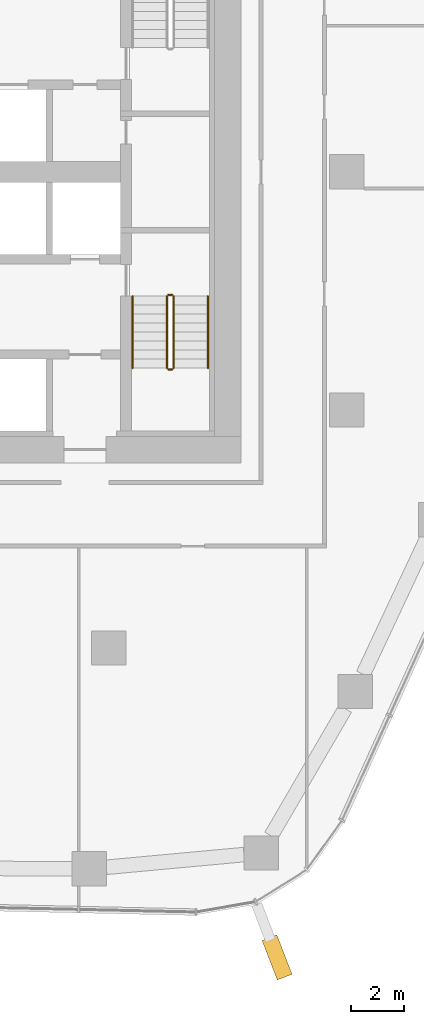
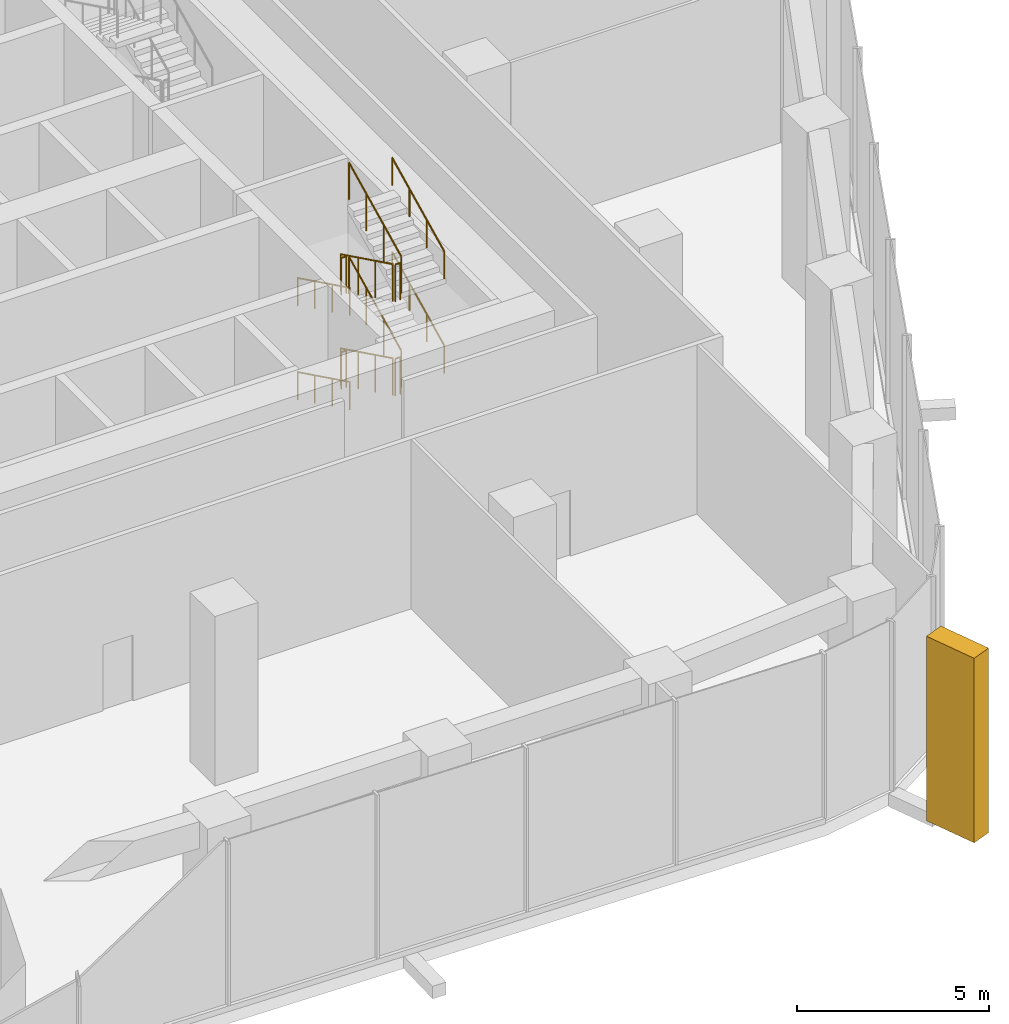
# One storey, part 16 of 18: 12 railings, 1 covering, 1 element without a shape of its own.
"""IFC4 building model written with IfcOpenShell, lengths in metres."""

import ifcopenshell
import ifcopenshell.guid

model = None  # the IFC model being written
_history = None  # IfcOwnerHistory: only IFC2X3 demands one
_inside = {}  # id of a spatial element -> (the spatial element, [elements in it])
_under = {}  # id of a project, library or spatial element -> (it, [spatial elements below it])
_declared = {}  # id of a project -> (the project, [libraries it declares])
_typed = {}  # id of a type object -> (the type object, [elements of that type])
_made_of = {}  # id of a material, layer set ... -> (it, [elements and type objects made of it])


def new_model(schema):
    """Start an empty IFC model of exactly this schema.

    Asked for "IFC4X3", IfcOpenShell would pick the latest addendum, in which some entities
    have other attributes; the version numbers below select the first issue.
    IFC2X3 requires an IfcOwnerHistory on every rooted entity: one is made here for all.
    """
    global model, _history
    if schema == "IFC4X3":
        model = ifcopenshell.file(schema_version=(4, 3, 0, 0))
    else:
        model = ifcopenshell.file(schema=schema)
    _inside.clear()
    _under.clear()
    _declared.clear()
    _typed.clear()
    _made_of.clear()
    _history = None
    if model.schema == "IFC2X3":
        org = make("IfcOrganization", Name="unknown")
        user = make(
            "IfcPersonAndOrganization",
            ThePerson=make("IfcPerson", FamilyName="unknown"),
            TheOrganization=org,
        )
        app = make(
            "IfcApplication",
            ApplicationDeveloper=org,
            Version="unknown",
            ApplicationFullName="unknown",
            ApplicationIdentifier="unknown",
        )
        _history = make(
            "IfcOwnerHistory",
            OwningUser=user,
            OwningApplication=app,
            ChangeAction="ADDED",
            CreationDate=0,
        )
    return model


def make(cls, **values):
    """One entity of the class cls with the attributes given. An attribute that is None is left unset."""
    return model.create_entity(
        cls, **{name: value for name, value in values.items() if value is not None}
    )


def rooted(cls, **values):
    """An entity with a GlobalId (a new one), such as an element, a storey or a relation."""
    return make(cls, GlobalId=ifcopenshell.guid.new(), OwnerHistory=_history, **values)


def si_unit(unit_type, name, prefix=None):
    """IfcSIUnit, for example si_unit("LENGTHUNIT", "METRE", prefix="MILLI")."""
    return make("IfcSIUnit", UnitType=unit_type, Prefix=prefix, Name=name)


def assignment(units):
    """IfcUnitAssignment: the units of a project."""
    return None if units is None else make("IfcUnitAssignment", Units=units)


def point(xyz):
    """IfcCartesianPoint."""
    return None if xyz is None else make("IfcCartesianPoint", Coordinates=xyz)


def direction(xyz):
    """IfcDirection."""
    return None if xyz is None else make("IfcDirection", DirectionRatios=xyz)


def frame(location, z_axis=None, x_axis=None):
    """IfcAxis2Placement3D, a coordinate frame: its origin and axes. An axis left out is left unset."""
    return make(
        "IfcAxis2Placement3D",
        Location=point(location),
        Axis=direction(z_axis),
        RefDirection=direction(x_axis),
    )


def frame_2d(location, x_axis=None):
    """IfcAxis2Placement2D, a coordinate frame in the plane: its origin and x axis."""
    return make(
        "IfcAxis2Placement2D", Location=point(location), RefDirection=direction(x_axis)
    )


def origin():
    """The frame at (0, 0, 0) with its axes left unset."""
    return frame((0.0, 0.0, 0.0))


def origin_2d():
    """The frame at (0, 0) in the plane with its x axis left unset."""
    return frame_2d((0.0, 0.0))


def place(relative_to, where):
    """IfcLocalPlacement: puts the frame where relative to a parent placement (None: the world)."""
    return make(
        "IfcLocalPlacement", PlacementRelTo=relative_to, RelativePlacement=where
    )


def context(
    kind, dimensions, precision=None, world=None, true_north=None, identifier=None
):
    """IfcGeometricRepresentationContext, for example the 3D "Model" context."""
    return make(
        "IfcGeometricRepresentationContext",
        ContextIdentifier=identifier,
        ContextType=kind,
        CoordinateSpaceDimension=dimensions,
        Precision=precision,
        WorldCoordinateSystem=world,
        TrueNorth=true_north,
    )


def subcontext(parent, identifier, kind, view, scale=None):
    """IfcGeometricRepresentationSubContext, for example "Body" below "Model"."""
    return make(
        "IfcGeometricRepresentationSubContext",
        ContextIdentifier=identifier,
        ContextType=kind,
        ParentContext=parent,
        TargetScale=scale,
        TargetView=view,
    )


def project(units=None, contexts=None):
    """IfcProject with its units and contexts."""
    return rooted(
        "IfcProject",
        Name="project",
        RepresentationContexts=contexts,
        UnitsInContext=assignment(units),
    )


def spatial(cls, under=None, at=None, **own):
    """A site, building, storey or space (cls), placed at a placement, below another one or the project."""
    s = rooted(cls, ObjectPlacement=at, **own)
    if under is not None:
        _under.setdefault(under.id(), (under, []))[1].append(s)
    return s


def profile(cls, at=None, kind="AREA", **sizes):
    """A parametric profile (cls). Its sizes go by their IFC names, for example OverallWidth=200.0."""
    return make(cls, ProfileType=kind, Position=at, **sizes)


def rectangle(**sizes):
    """IfcRectangleProfileDef."""
    return profile("IfcRectangleProfileDef", **sizes)


def circle(**sizes):
    """IfcCircleProfileDef."""
    return profile("IfcCircleProfileDef", **sizes)


def extrude(swept, where, along, depth):
    """IfcExtrudedAreaSolid: the profile swept, set in the frame where, extruded along a direction by depth."""
    return make(
        "IfcExtrudedAreaSolid",
        SweptArea=swept,
        Position=where,
        ExtrudedDirection=direction(along),
        Depth=depth,
    )


def shape(context_of_items, identifier, shape_type, items):
    """IfcShapeRepresentation: the items that make up one representation, for example the "Body"."""
    return make(
        "IfcShapeRepresentation",
        ContextOfItems=context_of_items,
        RepresentationIdentifier=identifier,
        RepresentationType=shape_type,
        Items=items,
    )


def material(Name=None, Category=None):
    """IfcMaterial."""
    return make("IfcMaterial", Name=Name, Category=Category)


def layer(
    of_material, thickness, ventilated=None, Name=None, Category=None, Priority=None
):
    """IfcMaterialLayer: one layer of a wall or slab, of a material (None: an air gap)."""
    return make(
        "IfcMaterialLayer",
        Material=of_material,
        LayerThickness=thickness,
        IsVentilated=ventilated,
        Name=Name,
        Category=Category,
        Priority=Priority,
    )


def layer_set(layers, Name=None):
    """IfcMaterialLayerSet."""
    return make("IfcMaterialLayerSet", MaterialLayers=layers, LayerSetName=Name)


def material_profile(
    of_material, cross_section, Name=None, Category=None, Priority=None
):
    """IfcMaterialProfile: a cross section and its material."""
    return make(
        "IfcMaterialProfile",
        Name=Name,
        Material=of_material,
        Profile=cross_section,
        Priority=Priority,
        Category=Category,
    )


def profile_set(profiles, Name=None, composite=None):
    """IfcMaterialProfileSet."""
    return make(
        "IfcMaterialProfileSet",
        Name=Name,
        MaterialProfiles=profiles,
        CompositeProfile=composite,
    )


def made_of(thing, what):
    """Note that an element or type object is made of a material, layer set ...; save() writes the relation."""
    if what is not None:
        _made_of.setdefault(what.id(), (what, []))[1].append(thing)
    return thing


def type_object(cls, material=None, **own):
    """A type object (cls), such as IfcWallType, which elements share."""
    return made_of(rooted(cls, **own), material)


def element(
    cls,
    number,
    at=None,
    inside=None,
    cuts=None,
    type_object=None,
    material=None,
    context=None,
    identifier="Body",
    shape_type=None,
    held_by="IfcProductDefinitionShape",
    body=None,
    shapes=None,
    **own,
):
    """One element of the class cls, such as IfcWall. Its Tag is "e" and its number.

    at: its placement. inside: the storey or other place that contains it. cuts: it is an
    opening in that element (IfcRelVoidsElement). A single representation is given by context,
    identifier, shape_type and body (its items); several are given by shapes. held_by: the class
    of the entity that holds the representations. save() writes the other relations.
    """
    e = rooted(cls, Tag="e%d" % number, ObjectPlacement=at, **own)
    if body is not None:
        shapes = [shape(context, identifier, shape_type, body)]
    if shapes is not None:
        e.Representation = make(held_by, Representations=shapes)
    if inside is not None:
        _inside.setdefault(inside.id(), (inside, []))[1].append(e)
    if cuts is not None:
        rooted(
            "IfcRelVoidsElement", RelatingBuildingElement=cuts, RelatedOpeningElement=e
        )
    if type_object is not None:
        _typed.setdefault(type_object.id(), (type_object, []))[1].append(e)
    return made_of(e, material)


def aggregate(whole, parts):
    """IfcRelAggregates: a whole, such as a stair, and the parts it consists of."""
    return rooted("IfcRelAggregates", RelatingObject=whole, RelatedObjects=parts)


def save(model, path):
    """Write the relations noted so far, then the file.

    IfcRelAggregates (storeys below a building ...), IfcRelContainedInSpatialStructure (elements
    in a storey), IfcRelDefinesByType, IfcRelAssociatesMaterial and IfcRelDeclares: one each for
    every whole, place, type object, material and project.
    """
    for whole, parts in _under.values():
        aggregate(whole, parts)
    for where, things in _inside.values():
        rooted(
            "IfcRelContainedInSpatialStructure",
            RelatedElements=things,
            RelatingStructure=where,
        )
    for kind, things in _typed.values():
        rooted("IfcRelDefinesByType", RelatedObjects=things, RelatingType=kind)
    for what, things in _made_of.values():
        rooted("IfcRelAssociatesMaterial", RelatedObjects=things, RelatingMaterial=what)
    for by, libraries in _declared.values():
        rooted("IfcRelDeclares", RelatingContext=by, RelatedDefinitions=libraries)
    model.write(path)


model = new_model("IFC4")

# Units and contexts
model_context = context("Model", 3, precision=1e-05, world=origin(), true_north=direction((0.0, 1.0)))
body_context = subcontext(model_context, "Body", "Model", "MODEL_VIEW")
ifc_project = project(units=[si_unit("LENGTHUNIT", "METRE"), si_unit("AREAUNIT", "SQUARE_METRE"), si_unit("VOLUMEUNIT", "CUBIC_METRE"), si_unit("PLANEANGLEUNIT", "RADIAN"), si_unit("MASSUNIT", "GRAM", prefix="KILO")], contexts=[model_context])

# Site, building, storey
site_placement = place(None, origin())
site = spatial("IfcSite", under=ifc_project, at=site_placement, CompositionType="ELEMENT")
building_placement = place(site_placement, origin())
building = spatial("IfcBuilding", under=site, at=building_placement, Name="Dongbaek Canopy Tower", CompositionType="ELEMENT")
storey_placement = place(building_placement, frame((0.0, 0.0, 139.60009765625)))
storey = spatial("IfcBuildingStorey", under=building, at=storey_placement, Name="L31", CompositionType="ELEMENT", Elevation=139.60009765625)

# Curtain wall, covering
ifc_material_1 = material(Name="Aluminium 6063-T6 pale anodised", Category="aluminium")
ifc_layer = layer(ifc_material_1, 0.25)
ifc_layer_set = layer_set([ifc_layer], Name="CW-4 sky-lobby curtain wall")
curtain_wall_type = type_object("IfcCurtainWallType", Name="CW-4 sky-lobby curtain wall", PredefinedType="NOTDEFINED", material=ifc_layer_set)
curtain_wall_placement = place(storey_placement, origin())
curtain_wall = element("IfcCurtainWall", 1, at=curtain_wall_placement, inside=storey, type_object=curtain_wall_type, Name="CW-4 curtain wall K5.1", PredefinedType="NOTDEFINED")
ifc_material_2 = material(Name="Aluminium 6063-T6 pale metal fin", Category="aluminium")
ifc_material_profile = material_profile(ifc_material_2, rectangle(XDim=1.60009765625, YDim=0.60009765625, at=origin_2d()), Name="Corner fin CN1 600 x 1600 pale metal")
ifc_profile_set = profile_set([ifc_material_profile], Name="Aluminium 6063-T6 pale metal fin")
covering_type = type_object("IfcCoveringType", Name="Corner fin CN1 600 x 1600 pale metal", PredefinedType="CLADDING", material=ifc_profile_set)
covering_placement = place(storey_placement, frame((15.3623046875, -29.6962890625, -0.2001953125), z_axis=(0.0, 0.0, 1.0), x_axis=(0.358809478259, -0.933410819688, 0.0)))
covering = element("IfcCovering", 2, at=covering_placement, type_object=covering_type, Name="Corner fin L31 L31 K5", PredefinedType="CLADDING", context=body_context, shape_type="SweptSolid", body=[
    extrude(rectangle(XDim=1.60009765625, YDim=0.60009765625, at=origin_2d()), origin(), (0.0, 0.0, 1.0), 5.880126953125),
])
aggregate(curtain_wall, [covering])

# Railings
ifc_material_3 = material(Name="Stainless steel tube and balusters", Category="steel")
railing_type_1 = type_object("IfcRailingType", Name="Stair guard 1200", PredefinedType="GUARDRAIL", material=ifc_material_3)
railing_1_placement = place(storey_placement, frame((11.199951171875, -4.699951171875, 0.16650390625)))
element("IfcRailing", 3, at=railing_1_placement, inside=storey, type_object=railing_type_1, Name="L31 ST-B stair guard 1", PredefinedType="GUARDRAIL", context=body_context, shape_type="SweptSolid", body=[
    extrude(circle(Radius=0.02392578125, at=origin_2d()), frame((0.0, 0.0, 1.17578125), z_axis=(0.0, -0.89789761255, 0.440204358653), x_axis=(1.0, 0.0, 0.0)), (0.0, 0.0, 1.0), 3.029296875),
    extrude(circle(Radius=0.02099609375, at=origin_2d()), origin(), (0.0, 0.0, 1.0), 1.15185546875),
    extrude(circle(Radius=0.02099609375, at=origin_2d()), frame((0.0, -0.90673828125, 0.444580078125)), (0.0, 0.0, 1.0), 1.15185546875),
    extrude(circle(Radius=0.02099609375, at=origin_2d()), frame((0.0, -1.813232421875, 0.888916015625)), (0.0, 0.0, 1.0), 1.15185546875),
    extrude(circle(Radius=0.02099609375, at=origin_2d()), frame((0.0, -2.719970703125, 1.33349609375)), (0.0, 0.0, 1.0), 1.15185546875),
])
railing_2_placement = place(storey_placement, frame((11.25, -7.469970703125, 1.5)))
element("IfcRailing", 4, at=railing_2_placement, inside=storey, type_object=railing_type_1, Name="L31 ST-B stair guard 2", PredefinedType="GUARDRAIL", context=body_context, shape_type="SweptSolid", body=[
    extrude(circle(Radius=0.02392578125, at=origin_2d()), frame((0.0, 0.0, 1.17578125), z_axis=(1.0, 0.0, 0.0), x_axis=(0.0, 1.0, 0.0)), (0.0, 0.0, 1.0), 0.14990234375),
    extrude(circle(Radius=0.02099609375, at=origin_2d()), origin(), (0.0, 0.0, 1.0), 1.15185546875),
    extrude(circle(Radius=0.02099609375, at=origin_2d()), frame((0.14990234375, 0.0, 0.0)), (0.0, 0.0, 1.0), 1.15185546875),
])
railing_3_placement = place(storey_placement, frame((11.449951171875, -7.419921875, 1.66650390625)))
element("IfcRailing", 5, at=railing_3_placement, inside=storey, type_object=railing_type_1, Name="L31 ST-B stair guard 3", PredefinedType="GUARDRAIL", context=body_context, shape_type="SweptSolid", body=[
    extrude(circle(Radius=0.02392578125, at=origin_2d()), frame((0.0, 0.0, 1.17578125), z_axis=(0.0, 0.89789761255, 0.440204358653), x_axis=(-1.0, 0.0, 0.0)), (0.0, 0.0, 1.0), 3.029296875),
    extrude(circle(Radius=0.02099609375, at=origin_2d()), origin(), (0.0, 0.0, 1.0), 1.15185546875),
    extrude(circle(Radius=0.02099609375, at=origin_2d()), frame((0.0, 0.90673828125, 0.444580078125)), (0.0, 0.0, 1.0), 1.15185546875),
    extrude(circle(Radius=0.02099609375, at=origin_2d()), frame((0.0, 1.813232421875, 0.888916015625)), (0.0, 0.0, 1.0), 1.15185546875),
    extrude(circle(Radius=0.02099609375, at=origin_2d()), frame((0.0, 2.719970703125, 1.33349609375)), (0.0, 0.0, 1.0), 1.15185546875),
])
railing_4_placement = place(storey_placement, frame((11.25, -4.64990234375, 3.0)))
element("IfcRailing", 6, at=railing_4_placement, inside=storey, type_object=railing_type_1, Name="L31 ST-B stair guard 4", PredefinedType="GUARDRAIL", context=body_context, shape_type="SweptSolid", body=[
    extrude(circle(Radius=0.02392578125, at=origin_2d()), frame((0.0, 0.0, 1.17578125), z_axis=(1.0, 0.0, 0.0), x_axis=(0.0, 1.0, 0.0)), (0.0, 0.0, 1.0), 0.14990234375),
    extrude(circle(Radius=0.02099609375, at=origin_2d()), origin(), (0.0, 0.0, 1.0), 1.15185546875),
    extrude(circle(Radius=0.02099609375, at=origin_2d()), frame((0.14990234375, 0.0, 0.0)), (0.0, 0.0, 1.0), 1.15185546875),
])
railing_5_placement = place(storey_placement, frame((11.199951171875, -4.699951171875, 3.16650390625)))
element("IfcRailing", 7, at=railing_5_placement, inside=storey, type_object=railing_type_1, Name="L31 ST-B stair guard 5", PredefinedType="GUARDRAIL", context=body_context, shape_type="SweptSolid", body=[
    extrude(circle(Radius=0.02392578125, at=origin_2d()), frame((0.0, 0.0, 1.17578125), z_axis=(0.0, -0.89789761255, 0.440204358653), x_axis=(1.0, 0.0, 0.0)), (0.0, 0.0, 1.0), 3.029296875),
    extrude(circle(Radius=0.02099609375, at=origin_2d()), origin(), (0.0, 0.0, 1.0), 1.15185546875),
    extrude(circle(Radius=0.02099609375, at=origin_2d()), frame((0.0, -0.90673828125, 0.444580078125)), (0.0, 0.0, 1.0), 1.15185546875),
    extrude(circle(Radius=0.02099609375, at=origin_2d()), frame((0.0, -1.813232421875, 0.888916015625)), (0.0, 0.0, 1.0), 1.15185546875),
    extrude(circle(Radius=0.02099609375, at=origin_2d()), frame((0.0, -2.719970703125, 1.33349609375)), (0.0, 0.0, 1.0), 1.15185546875),
])
railing_6_placement = place(storey_placement, frame((11.25, -7.469970703125, 4.5)))
element("IfcRailing", 8, at=railing_6_placement, inside=storey, type_object=railing_type_1, Name="L31 ST-B stair guard 6", PredefinedType="GUARDRAIL", context=body_context, shape_type="SweptSolid", body=[
    extrude(circle(Radius=0.02392578125, at=origin_2d()), frame((0.0, 0.0, 1.17578125), z_axis=(1.0, 0.0, 0.0), x_axis=(0.0, 1.0, 0.0)), (0.0, 0.0, 1.0), 0.14990234375),
    extrude(circle(Radius=0.02099609375, at=origin_2d()), origin(), (0.0, 0.0, 1.0), 1.15185546875),
    extrude(circle(Radius=0.02099609375, at=origin_2d()), frame((0.14990234375, 0.0, 0.0)), (0.0, 0.0, 1.0), 1.15185546875),
])
railing_7_placement = place(storey_placement, frame((11.449951171875, -7.419921875, 4.66650390625)))
element("IfcRailing", 9, at=railing_7_placement, inside=storey, type_object=railing_type_1, Name="L31 ST-B stair guard 7", PredefinedType="GUARDRAIL", context=body_context, shape_type="SweptSolid", body=[
    extrude(circle(Radius=0.02392578125, at=origin_2d()), frame((0.0, 0.0, 1.17578125), z_axis=(0.0, 0.89789761255, 0.440204358653), x_axis=(-1.0, 0.0, 0.0)), (0.0, 0.0, 1.0), 3.029296875),
    extrude(circle(Radius=0.02099609375, at=origin_2d()), origin(), (0.0, 0.0, 1.0), 1.15185546875),
    extrude(circle(Radius=0.02099609375, at=origin_2d()), frame((0.0, 0.90673828125, 0.444580078125)), (0.0, 0.0, 1.0), 1.15185546875),
    extrude(circle(Radius=0.02099609375, at=origin_2d()), frame((0.0, 1.813232421875, 0.888916015625)), (0.0, 0.0, 1.0), 1.15185546875),
    extrude(circle(Radius=0.02099609375, at=origin_2d()), frame((0.0, 2.719970703125, 1.33349609375)), (0.0, 0.0, 1.0), 1.15185546875),
])
railing_8_placement = place(storey_placement, frame((11.25, -4.64990234375, 0.0)))
element("IfcRailing", 10, at=railing_8_placement, inside=storey, type_object=railing_type_1, Name="L31 ST-B stair guard 8", PredefinedType="GUARDRAIL", context=body_context, shape_type="SweptSolid", body=[
    extrude(circle(Radius=0.02392578125, at=origin_2d()), frame((0.0, 0.0, 1.17578125), z_axis=(1.0, 0.0, 0.0), x_axis=(0.0, 1.0, 0.0)), (0.0, 0.0, 1.0), 0.14990234375),
    extrude(circle(Radius=0.02099609375, at=origin_2d()), origin(), (0.0, 0.0, 1.0), 1.15185546875),
    extrude(circle(Radius=0.02099609375, at=origin_2d()), frame((0.14990234375, 0.0, 0.0)), (0.0, 0.0, 1.0), 1.15185546875),
])
ifc_material_4 = material(Name="Stainless steel tube", Category="steel")
railing_type_2 = type_object("IfcRailingType", Name="Stair handrail 900", PredefinedType="HANDRAIL", material=ifc_material_4)
railing_9_placement = place(storey_placement, frame((9.89990234375, -4.699951171875, 0.16650390625)))
element("IfcRailing", 11, at=railing_9_placement, inside=storey, type_object=railing_type_2, Name="L31 ST-B stair handrail 1", PredefinedType="HANDRAIL", context=body_context, shape_type="SweptSolid", body=[
    extrude(circle(Radius=0.02392578125, at=origin_2d()), frame((0.0, 0.0, 0.8759765625), z_axis=(0.0, -0.89789761255, 0.440204358653), x_axis=(1.0, 0.0, 0.0)), (0.0, 0.0, 1.0), 3.029296875),
    extrude(circle(Radius=0.02099609375, at=origin_2d()), origin(), (0.0, 0.0, 1.0), 0.851806640625),
    extrude(circle(Radius=0.02099609375, at=origin_2d()), frame((0.0, -0.90673828125, 0.444580078125)), (0.0, 0.0, 1.0), 0.851806640625),
    extrude(circle(Radius=0.02099609375, at=origin_2d()), frame((0.0, -1.813232421875, 0.888916015625)), (0.0, 0.0, 1.0), 0.851806640625),
    extrude(circle(Radius=0.02099609375, at=origin_2d()), frame((0.0, -2.719970703125, 1.33349609375)), (0.0, 0.0, 1.0), 0.851806640625),
])
railing_10_placement = place(storey_placement, frame((12.75, -7.419921875, 1.66650390625)))
element("IfcRailing", 12, at=railing_10_placement, inside=storey, type_object=railing_type_2, Name="L31 ST-B stair handrail 2", PredefinedType="HANDRAIL", context=body_context, shape_type="SweptSolid", body=[
    extrude(circle(Radius=0.02392578125, at=origin_2d()), frame((0.0, 0.0, 0.8759765625), z_axis=(0.0, 0.89789761255, 0.440204358653), x_axis=(-1.0, 0.0, 0.0)), (0.0, 0.0, 1.0), 3.029296875),
    extrude(circle(Radius=0.02099609375, at=origin_2d()), origin(), (0.0, 0.0, 1.0), 0.851806640625),
    extrude(circle(Radius=0.02099609375, at=origin_2d()), frame((0.0, 0.90673828125, 0.444580078125)), (0.0, 0.0, 1.0), 0.851806640625),
    extrude(circle(Radius=0.02099609375, at=origin_2d()), frame((0.0, 1.813232421875, 0.888916015625)), (0.0, 0.0, 1.0), 0.851806640625),
    extrude(circle(Radius=0.02099609375, at=origin_2d()), frame((0.0, 2.719970703125, 1.33349609375)), (0.0, 0.0, 1.0), 0.851806640625),
])
railing_11_placement = place(storey_placement, frame((9.89990234375, -4.699951171875, 3.16650390625)))
element("IfcRailing", 13, at=railing_11_placement, inside=storey, type_object=railing_type_2, Name="L31 ST-B stair handrail 3", PredefinedType="HANDRAIL", context=body_context, shape_type="SweptSolid", body=[
    extrude(circle(Radius=0.02392578125, at=origin_2d()), frame((0.0, 0.0, 0.8759765625), z_axis=(0.0, -0.89789761255, 0.440204358653), x_axis=(1.0, 0.0, 0.0)), (0.0, 0.0, 1.0), 3.029296875),
    extrude(circle(Radius=0.02099609375, at=origin_2d()), origin(), (0.0, 0.0, 1.0), 0.851806640625),
    extrude(circle(Radius=0.02099609375, at=origin_2d()), frame((0.0, -0.90673828125, 0.444580078125)), (0.0, 0.0, 1.0), 0.851806640625),
    extrude(circle(Radius=0.02099609375, at=origin_2d()), frame((0.0, -1.813232421875, 0.888916015625)), (0.0, 0.0, 1.0), 0.851806640625),
    extrude(circle(Radius=0.02099609375, at=origin_2d()), frame((0.0, -2.719970703125, 1.33349609375)), (0.0, 0.0, 1.0), 0.851806640625),
])
railing_12_placement = place(storey_placement, frame((12.75, -7.419921875, 4.66650390625)))
element("IfcRailing", 14, at=railing_12_placement, inside=storey, type_object=railing_type_2, Name="L31 ST-B stair handrail 4", PredefinedType="HANDRAIL", context=body_context, shape_type="SweptSolid", body=[
    extrude(circle(Radius=0.02392578125, at=origin_2d()), frame((0.0, 0.0, 0.8759765625), z_axis=(0.0, 0.89789761255, 0.440204358653), x_axis=(-1.0, 0.0, 0.0)), (0.0, 0.0, 1.0), 3.029296875),
    extrude(circle(Radius=0.02099609375, at=origin_2d()), origin(), (0.0, 0.0, 1.0), 0.851806640625),
    extrude(circle(Radius=0.02099609375, at=origin_2d()), frame((0.0, 0.90673828125, 0.444580078125)), (0.0, 0.0, 1.0), 0.851806640625),
    extrude(circle(Radius=0.02099609375, at=origin_2d()), frame((0.0, 1.813232421875, 0.888916015625)), (0.0, 0.0, 1.0), 0.851806640625),
    extrude(circle(Radius=0.02099609375, at=origin_2d()), frame((0.0, 2.719970703125, 1.33349609375)), (0.0, 0.0, 1.0), 0.851806640625),
])

save(model, "model.ifc")
